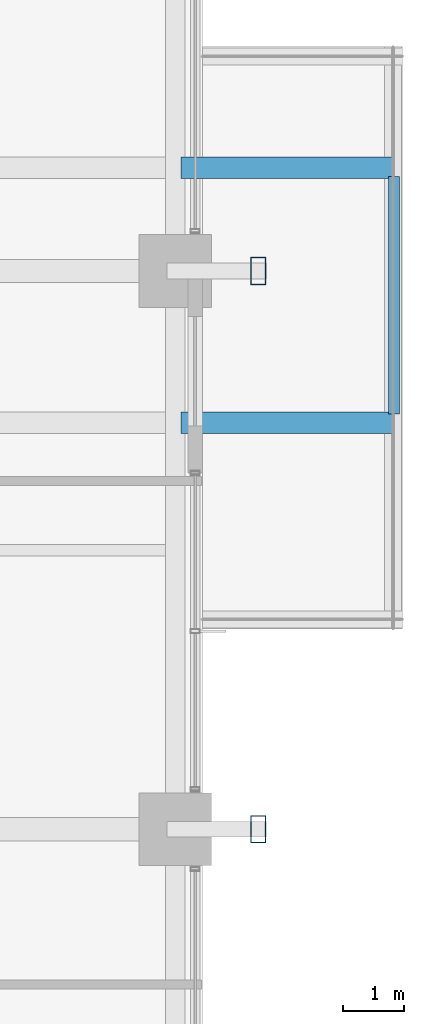
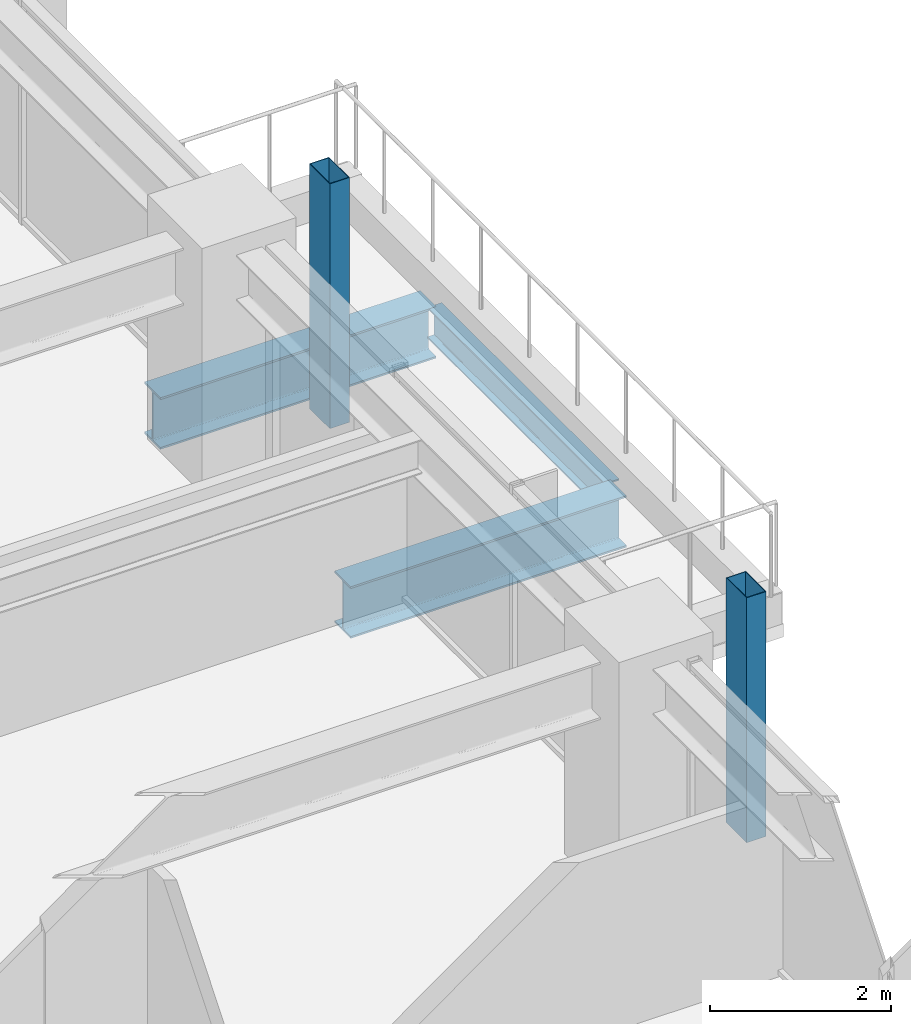
# One storey, part 18 of 38: 3 beams, 2 members.
"""IFC4 building model written with IfcOpenShell, lengths in metres."""

from ifc_helpers import new_model, si_unit, direction, frame, origin, origin_2d, place, context, subcontext, project, spatial, hollow_rectangle, i_section, extrude, material, material_profile, profile_set, type_object, element, save


model = new_model("IFC4")

# Units and contexts
model_context = context("Model", 3, precision=1e-05, world=origin(), true_north=direction((0.0, 1.0)))
body_context = subcontext(model_context, "Body", "Model", "MODEL_VIEW")
ifc_project = project(units=[si_unit("LENGTHUNIT", "METRE"), si_unit("AREAUNIT", "SQUARE_METRE"), si_unit("VOLUMEUNIT", "CUBIC_METRE"), si_unit("PLANEANGLEUNIT", "RADIAN"), si_unit("MASSUNIT", "GRAM", prefix="KILO")], contexts=[model_context])

# Site, building, storey
site_placement = place(None, origin())
site = spatial("IfcSite", under=ifc_project, at=site_placement, CompositionType="ELEMENT")
building_placement = place(site_placement, origin())
building = spatial("IfcBuilding", under=site, at=building_placement, Name="Kolvaren Belvedere", CompositionType="ELEMENT")
storey_placement = place(building_placement, frame((0.0, 0.0, 53.5)))
storey = spatial("IfcBuildingStorey", under=building, at=storey_placement, Name="L15", CompositionType="ELEMENT", Elevation=53.5)

# Beams
ifc_material_1 = material(Name="Structural steel ASTM A992 Grade 50", Category="steel")
ifc_material_profile_1 = material_profile(ifc_material_1, i_section(OverallWidth=0.35498046875, OverallDepth=0.696044921875, WebThickness=0.015380859375, FlangeThickness=0.02490234375, FilletRadius=0.02197265625, at=origin_2d()), Name="W27X146")
ifc_profile_set_1 = profile_set([ifc_material_profile_1], Name="Structural steel ASTM A992 Grade 50")
beam_type_1 = type_object("IfcBeamType", Name="BM-CANT-BAL", PredefinedType="BEAM", material=ifc_profile_set_1)
for number, where, z_axis, x_axis, name in (
    (1, (21.64501953125, 2.10009765625, -0.587890625), (1.0, 0.0, 0.0), (0.0, 1.0, 0.0), "L15 Planted Balcony Cantilever SPIRAL-02-E-1"),
    (2, (21.64501953125, 6.300048828125, -0.587890625), (1.0, 0.0, 0.0), (0.0, 1.0, 0.0), "L15 Planted Balcony Cantilever SPIRAL-02-E-2"),
):
    element("IfcBeam", number, at=place(storey_placement, frame(where, z_axis=z_axis, x_axis=x_axis)), inside=storey, type_object=beam_type_1, Name=name, PredefinedType="BEAM", context=body_context, shape_type="SweptSolid", body=[
        extrude(i_section(OverallWidth=0.35498046875, OverallDepth=0.696044921875, WebThickness=0.015380859375, FlangeThickness=0.02490234375, FilletRadius=0.02197265625, at=origin_2d()), origin(), (0.0, 0.0, 1.0), 3.514892578125),
    ])
ifc_material_2 = material(Name="Structural steel ASTM A992 Grade 50", Category="steel")
ifc_material_profile_2 = material_profile(ifc_material_2, i_section(OverallWidth=0.180908203125, OverallDepth=0.4169921875, WebThickness=0.010986328125, FlangeThickness=0.018310546875, FilletRadius=0.013916015625, at=origin_2d()), Name="W16X57")
ifc_profile_set_2 = profile_set([ifc_material_profile_2], Name="Structural steel ASTM A992 Grade 50")
beam_type_2 = type_object("IfcBeamType", Name="BM-EDGE-W16X57", PredefinedType="BEAM", material=ifc_profile_set_2)
beam_placement = place(storey_placement, frame((25.159912109375, 2.239990234375, -0.448486328125), z_axis=(0.0, 1.0, 0.0), x_axis=(-1.0, 0.0, 0.0)))
element("IfcBeam", 3, at=beam_placement, inside=storey, type_object=beam_type_2, Name="L15 Balcony Tip Header Beam SPIRAL-02-E", PredefinedType="BEAM", context=body_context, shape_type="SweptSolid", body=[
    extrude(i_section(OverallWidth=0.180908203125, OverallDepth=0.4169921875, WebThickness=0.010986328125, FlangeThickness=0.018310546875, FilletRadius=0.013916015625, at=origin_2d()), origin(), (0.0, 0.0, 1.0), 3.919921875),
])

# Members
ifc_material_3 = material(Name="Anodised pale-metal aluminium AA 6063-T6", Category="aluminium")
ifc_material_profile_3 = material_profile(ifc_material_3, hollow_rectangle(XDim=0.25, YDim=0.449951171875, WallThickness=0.008544921875, at=origin_2d()), Name="ALU-PF-450X250")
ifc_profile_set_3 = profile_set([ifc_material_profile_3], Name="Anodised pale-metal aluminium AA 6063-T6")
member_type = type_object("IfcMemberType", Name="PF-FRAME-450", PredefinedType="USERDEFINED", material=ifc_profile_set_3)
for number, where, z_axis, x_axis, name in (
    (4, (22.919921875, 4.60009765625, 0.0), (0.0, 0.0, 1.0), (1.0, 0.0, 0.0), "L15 Outboard Picture-Frame Vertical E1"),
    (5, (22.919921875, -4.60009765625, 0.0), (0.0, 0.0, 1.0), (1.0, 0.0, 0.0), "L15 Outboard Picture-Frame Vertical E2"),
):
    element("IfcMember", number, at=place(storey_placement, frame(where, z_axis=z_axis, x_axis=x_axis)), inside=storey, type_object=member_type, Name=name, ObjectType="PICTURE FRAME FIN", PredefinedType="USERDEFINED", context=body_context, shape_type="SweptSolid", body=[
        extrude(hollow_rectangle(XDim=0.25, YDim=0.449951171875, WallThickness=0.008544921875, at=origin_2d()), origin(), (0.0, 0.0, 1.0), 3.300048828125),
    ])

save(model, "model.ifc")
